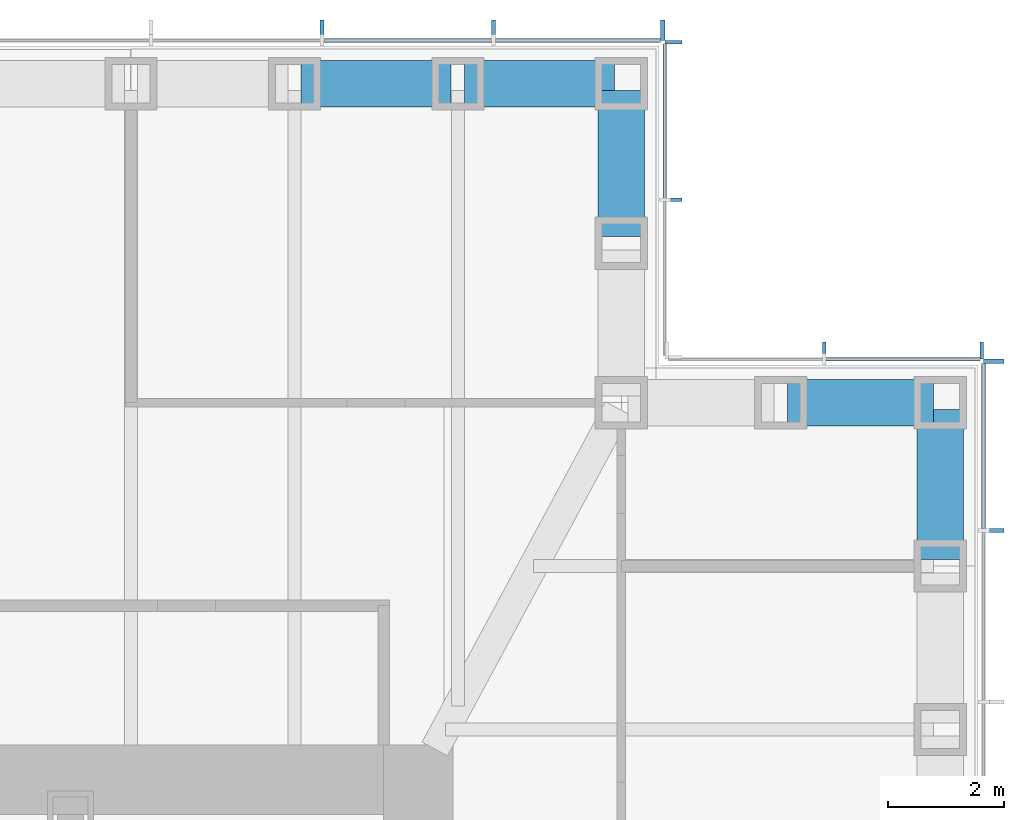
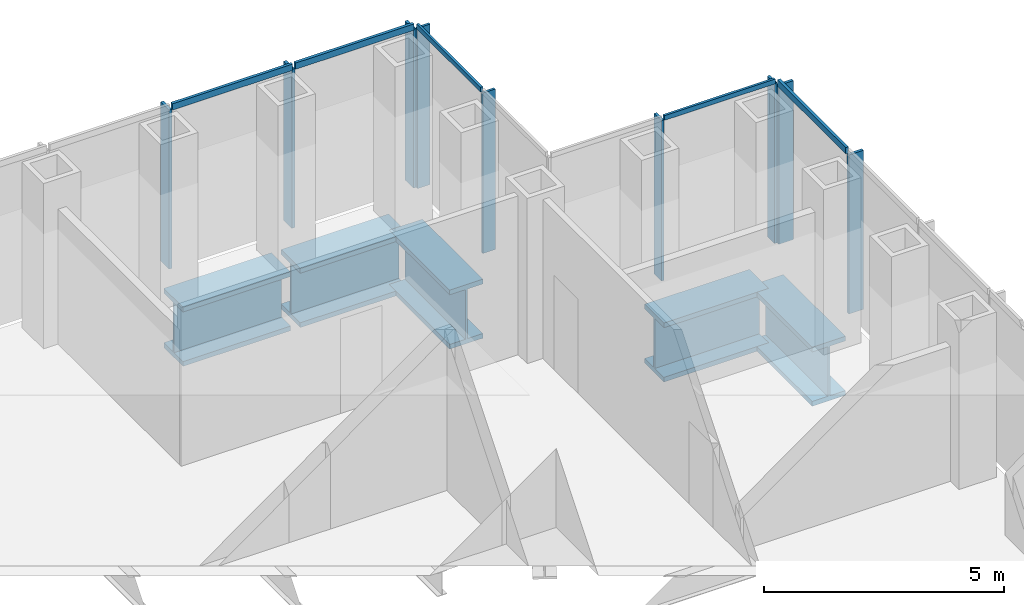
# One storey, part 6 of 16: 14 members, 5 beams, 4 elements without a shape of their own.
"""IFC4 building model written with IfcOpenShell, lengths in metres."""

from ifc_helpers import new_model, si_unit, direction, frame, origin, origin_2d, place, context, subcontext, project, spatial, rectangle, i_section, extrude, material, material_profile, profile_set, type_object, element, aggregate, save


model = new_model("IFC4")

# Units and contexts
model_context = context("Model", 3, precision=1e-05, world=origin(), true_north=direction((0.0, 1.0)))
body_context = subcontext(model_context, "Body", "Model", "MODEL_VIEW")
ifc_project = project(units=[si_unit("LENGTHUNIT", "METRE"), si_unit("AREAUNIT", "SQUARE_METRE"), si_unit("VOLUMEUNIT", "CUBIC_METRE"), si_unit("PLANEANGLEUNIT", "RADIAN"), si_unit("MASSUNIT", "GRAM", prefix="KILO")], contexts=[model_context])

# Site, building, storey
site_placement = place(None, origin())
site = spatial("IfcSite", under=ifc_project, at=site_placement, CompositionType="ELEMENT")
building_placement = place(site_placement, origin())
building = spatial("IfcBuilding", under=site, at=building_placement, Name="Daluyong Arena Tower", CompositionType="ELEMENT")
storey_placement = place(building_placement, frame((0.0, 0.0, 206.5)))
storey = spatial("IfcBuildingStorey", under=building, at=storey_placement, Name="L46", CompositionType="ELEMENT", Elevation=206.5)

# Curtain wall, members
ifc_material_1 = material(Name="Bronze anodised aluminium and glass", Category="aluminium")
curtain_wall_type_1 = type_object("IfcCurtainWallType", Name="Curtain wall CW3", PredefinedType="USERDEFINED", material=ifc_material_1)
curtain_wall_1_placement = place(storey_placement, origin())
curtain_wall_1 = element("IfcCurtainWall", 1, at=curtain_wall_1_placement, inside=storey, type_object=curtain_wall_type_1, Name="curtain wall L46 E", ObjectType="UNITISED CURTAIN WALL", PredefinedType="USERDEFINED")
ifc_material_2 = material(Name="Bronze anodised aluminium fin", Category="aluminium")
ifc_material_profile_1 = material_profile(ifc_material_2, rectangle(XDim=0.35009765625, YDim=0.070068359375, at=origin_2d()))
ifc_profile_set_1 = profile_set([ifc_material_profile_1], Name="Bronze anodised aluminium fin")
member_type_1 = type_object("IfcMemberType", Name="CW3 bronze fin 350x70", PredefinedType="MULLION", material=ifc_profile_set_1)
member_1_placement = place(storey_placement, frame((77.925048828125, 93.29541015625, 0.0), z_axis=(0.0, 0.0, 1.0), x_axis=(-1.0, 0.0, 0.0)))
member_1 = element("IfcMember", 2, at=member_1_placement, type_object=member_type_1, Name="curtain wall L46 E fin 11", PredefinedType="MULLION", context=body_context, shape_type="SweptSolid", body=[
    extrude(rectangle(XDim=0.35009765625, YDim=0.070068359375, at=origin_2d()), origin(), (0.0, 0.0, 1.0), 4.0400390625),
])
member_2_placement = place(storey_placement, frame((77.925048828125, 96.215087890625, 0.0), z_axis=(0.0, 0.0, 1.0), x_axis=(-1.0, 0.0, 0.0)))
member_2 = element("IfcMember", 3, at=member_2_placement, type_object=member_type_1, Name="curtain wall L46 E fin 12", PredefinedType="MULLION", context=body_context, shape_type="SweptSolid", body=[
    extrude(rectangle(XDim=0.35009765625, YDim=0.070068359375, at=origin_2d()), origin(), (0.0, 0.0, 1.0), 4.0400390625),
])

curtain_wall_2_placement = place(storey_placement, origin())
curtain_wall_2 = element("IfcCurtainWall", 4, at=curtain_wall_2_placement, inside=storey, type_object=curtain_wall_type_1, Name="curtain wall L46 N", ObjectType="UNITISED CURTAIN WALL", PredefinedType="USERDEFINED")
member_3_placement = place(storey_placement, frame((72.215087890625, 101.925048828125, 0.0), z_axis=(0.0, 0.0, 1.0), x_axis=(0.0, -1.0, 0.0)))
member_3 = element("IfcMember", 5, at=member_3_placement, type_object=member_type_1, Name="curtain wall L46 N fin 1", PredefinedType="MULLION", context=body_context, shape_type="SweptSolid", body=[
    extrude(rectangle(XDim=0.35009765625, YDim=0.070068359375, at=origin_2d()), origin(), (0.0, 0.0, 1.0), 4.0400390625),
])
member_4_placement = place(storey_placement, frame((69.29541015625, 101.925048828125, 0.0), z_axis=(0.0, 0.0, 1.0), x_axis=(0.0, -1.0, 0.0)))
member_4 = element("IfcMember", 6, at=member_4_placement, type_object=member_type_1, Name="curtain wall L46 N fin 2", PredefinedType="MULLION", context=body_context, shape_type="SweptSolid", body=[
    extrude(rectangle(XDim=0.35009765625, YDim=0.070068359375, at=origin_2d()), origin(), (0.0, 0.0, 1.0), 4.0400390625),
])
member_5_placement = place(storey_placement, frame((66.3408203125, 101.925048828125, 0.0), z_axis=(0.0, 0.0, 1.0), x_axis=(0.0, -1.0, 0.0)))
member_5 = element("IfcMember", 7, at=member_5_placement, type_object=member_type_1, Name="curtain wall L46 N fin 3", PredefinedType="MULLION", context=body_context, shape_type="SweptSolid", body=[
    extrude(rectangle(XDim=0.35009765625, YDim=0.070068359375, at=origin_2d()), origin(), (0.0, 0.0, 1.0), 4.0400390625),
])

# Member
ifc_material_3 = material(Name="Bronze anodised aluminium", Category="aluminium")
ifc_material_profile_2 = material_profile(ifc_material_3, rectangle(XDim=0.070068359375, YDim=0.159912109375, at=origin_2d()))
ifc_profile_set_2 = profile_set([ifc_material_profile_2], Name="Bronze anodised aluminium")
member_type_2 = type_object("IfcMemberType", Name="CW3 stack transom 160x70", PredefinedType="USERDEFINED", material=ifc_profile_set_2)
member_6_placement = place(storey_placement, frame((77.75, 93.33056640625, 4.1201171875), z_axis=(0.0, 1.0, 0.0), x_axis=(-1.0, 0.0, 0.0)))
member_6 = element("IfcMember", 8, at=member_6_placement, type_object=member_type_2, Name="curtain wall L46 E transom 11", ObjectType="TRANSOM", PredefinedType="USERDEFINED", context=body_context, shape_type="SweptSolid", body=[
    extrude(rectangle(XDim=0.070068359375, YDim=0.159912109375, at=origin_2d()), origin(), (0.0, 0.0, 1.0), 2.849365234375),
])

aggregate(curtain_wall_1, [member_1, member_2, member_6])

member_7_placement = place(storey_placement, frame((72.179931640625, 101.75, 4.1201171875), z_axis=(-1.0, 0.0, 0.0), x_axis=(0.0, -1.0, 0.0)))
member_7 = element("IfcMember", 9, at=member_7_placement, type_object=member_type_2, Name="curtain wall L46 N transom 1", ObjectType="TRANSOM", PredefinedType="USERDEFINED", context=body_context, shape_type="SweptSolid", body=[
    extrude(rectangle(XDim=0.070068359375, YDim=0.159912109375, at=origin_2d()), origin(), (0.0, 0.0, 1.0), 2.849365234375),
])

member_8_placement = place(storey_placement, frame((69.260498046875, 101.75, 4.1201171875), z_axis=(-1.0, 0.0, 0.0), x_axis=(0.0, -1.0, 0.0)))
member_8 = element("IfcMember", 10, at=member_8_placement, type_object=member_type_2, Name="curtain wall L46 N transom 2", ObjectType="TRANSOM", PredefinedType="USERDEFINED", context=body_context, shape_type="SweptSolid", body=[
    extrude(rectangle(XDim=0.070068359375, YDim=0.159912109375, at=origin_2d()), origin(), (0.0, 0.0, 1.0), 2.884521484375),
])

aggregate(curtain_wall_2, [member_3, member_4, member_5, member_7, member_8])

# Curtain wall, members
ifc_material_4 = material(Name="Bronze anodised aluminium and glass", Category="aluminium")
curtain_wall_type_2 = type_object("IfcCurtainWallType", Name="Curtain wall CW7", PredefinedType="USERDEFINED", material=ifc_material_4)
curtain_wall_3_placement = place(storey_placement, origin())
curtain_wall_3 = element("IfcCurtainWall", 11, at=curtain_wall_3_placement, inside=storey, type_object=curtain_wall_type_2, Name="curtain wall L46 NE-N", ObjectType="UNITISED CURTAIN WALL", PredefinedType="USERDEFINED")
ifc_material_5 = material(Name="Bronze anodised aluminium fin", Category="aluminium")
ifc_material_profile_3 = material_profile(ifc_material_5, rectangle(XDim=0.300048828125, YDim=0.06005859375, at=origin_2d()))
ifc_profile_set_3 = profile_set([ifc_material_profile_3], Name="Bronze anodised aluminium fin")
member_type_3 = type_object("IfcMemberType", Name="CW7 bronze fin 300x60", PredefinedType="MULLION", material=ifc_profile_set_3)
member_9_placement = place(storey_placement, frame((77.719970703125, 96.39990234375, 0.0), z_axis=(0.0, 0.0, 1.0), x_axis=(0.0, -1.0, 0.0)))
member_9 = element("IfcMember", 12, at=member_9_placement, type_object=member_type_3, Name="curtain wall L46 NE-N fin 1", PredefinedType="MULLION", context=body_context, shape_type="SweptSolid", body=[
    extrude(rectangle(XDim=0.300048828125, YDim=0.06005859375, at=origin_2d()), origin(), (0.0, 0.0, 1.0), 4.080078125),
])
member_10_placement = place(storey_placement, frame((75.0, 96.39990234375, 0.0), z_axis=(0.0, 0.0, 1.0), x_axis=(0.0, -1.0, 0.0)))
member_10 = element("IfcMember", 13, at=member_10_placement, type_object=member_type_3, Name="curtain wall L46 NE-N fin 2", PredefinedType="MULLION", context=body_context, shape_type="SweptSolid", body=[
    extrude(rectangle(XDim=0.300048828125, YDim=0.06005859375, at=origin_2d()), origin(), (0.0, 0.0, 1.0), 4.080078125),
])

curtain_wall_4_placement = place(storey_placement, origin())
curtain_wall_4 = element("IfcCurtainWall", 14, at=curtain_wall_4_placement, inside=storey, type_object=curtain_wall_type_2, Name="curtain wall L46 NE-E", ObjectType="UNITISED CURTAIN WALL", PredefinedType="USERDEFINED")
member_11_placement = place(storey_placement, frame((72.39990234375, 99.0, 0.0), z_axis=(0.0, 0.0, 1.0), x_axis=(-1.0, 0.0, 0.0)))
member_11 = element("IfcMember", 15, at=member_11_placement, type_object=member_type_3, Name="curtain wall L46 NE-E fin 2", PredefinedType="MULLION", context=body_context, shape_type="SweptSolid", body=[
    extrude(rectangle(XDim=0.300048828125, YDim=0.06005859375, at=origin_2d()), origin(), (0.0, 0.0, 1.0), 4.080078125),
])
member_12_placement = place(storey_placement, frame((72.39990234375, 101.719970703125, 0.0), z_axis=(0.0, 0.0, 1.0), x_axis=(-1.0, 0.0, 0.0)))
member_12 = element("IfcMember", 16, at=member_12_placement, type_object=member_type_3, Name="curtain wall L46 NE-E fin 3", PredefinedType="MULLION", context=body_context, shape_type="SweptSolid", body=[
    extrude(rectangle(XDim=0.300048828125, YDim=0.06005859375, at=origin_2d()), origin(), (0.0, 0.0, 1.0), 4.080078125),
])

# Member
ifc_material_6 = material(Name="Bronze anodised aluminium", Category="aluminium")
ifc_material_profile_4 = material_profile(ifc_material_6, rectangle(XDim=0.06005859375, YDim=0.1201171875, at=origin_2d()))
ifc_profile_set_4 = profile_set([ifc_material_profile_4], Name="Bronze anodised aluminium")
member_type_4 = type_object("IfcMemberType", Name="CW7 stack transom 120x60", PredefinedType="USERDEFINED", material=ifc_profile_set_4)
member_13_placement = place(storey_placement, frame((77.68994140625, 96.25, 4.139892578125), z_axis=(-1.0, 0.0, 0.0), x_axis=(0.0, -1.0, 0.0)))
member_13 = element("IfcMember", 17, at=member_13_placement, type_object=member_type_4, Name="curtain wall L46 NE-N transom 1", ObjectType="TRANSOM", PredefinedType="USERDEFINED", context=body_context, shape_type="SweptSolid", body=[
    extrude(rectangle(XDim=0.06005859375, YDim=0.1201171875, at=origin_2d()), origin(), (0.0, 0.0, 1.0), 2.659912109375),
])

aggregate(curtain_wall_3, [member_9, member_10, member_13])

member_14_placement = place(storey_placement, frame((72.25, 99.030029296875, 4.139892578125), z_axis=(0.0, 1.0, 0.0), x_axis=(-1.0, 0.0, 0.0)))
member_14 = element("IfcMember", 18, at=member_14_placement, type_object=member_type_4, Name="curtain wall L46 NE-E transom 2", ObjectType="TRANSOM", PredefinedType="USERDEFINED", context=body_context, shape_type="SweptSolid", body=[
    extrude(rectangle(XDim=0.06005859375, YDim=0.1201171875, at=origin_2d()), origin(), (0.0, 0.0, 1.0), 2.659912109375),
])

aggregate(curtain_wall_4, [member_11, member_12, member_14])

# Beams
ifc_material_7 = material(Name="Steel ASTM A588 Grade 50", Category="steel")
ifc_material_profile_5 = material_profile(ifc_material_7, i_section(OverallWidth=0.800048828125, OverallDepth=1.5, WebThickness=0.05, FlangeThickness=0.12, at=origin_2d()))
ifc_profile_set_5 = profile_set([ifc_material_profile_5], Name="Steel ASTM A588 Grade 50")
beam_type = type_object("IfcBeamType", Name="Spandrel Z3 PG1500X800", PredefinedType="SPANDREL", material=ifc_profile_set_5)
beam_1_placement = place(storey_placement, frame((77.0, 92.796875, -0.909912109375), z_axis=(0.0, 1.0, 0.0), x_axis=(-1.0, 0.0, 0.0)))
element("IfcBeam", 19, at=beam_1_placement, inside=storey, type_object=beam_type, Name="spandrel z3 SB7", PredefinedType="SPANDREL", context=body_context, shape_type="SweptSolid", body=[
    extrude(i_section(OverallWidth=0.800048828125, OverallDepth=1.5, WebThickness=0.05, FlangeThickness=0.12, at=origin_2d()), origin(), (0.0, 0.0, 1.0), 2.588134765625),
])
for number, where, z_axis, x_axis, name in (
    (20, (76.885009765625, 95.5, -0.909912109375), (-1.0, 0.0, 0.0), (0.0, -1.0, 0.0), "spandrel z3 SB7"),
    (21, (71.5, 98.364990234375, -0.909912109375), (0.0, 1.0, 0.0), (-1.0, 0.0, 0.0), "spandrel z3 SB7"),
):
    element("IfcBeam", number, at=place(storey_placement, frame(where, z_axis=z_axis, x_axis=x_axis)), inside=storey, type_object=beam_type, Name=name, PredefinedType="SPANDREL", context=body_context, shape_type="SweptSolid", body=[
        extrude(i_section(OverallWidth=0.800048828125, OverallDepth=1.5, WebThickness=0.05, FlangeThickness=0.12, at=origin_2d()), origin(), (0.0, 0.0, 1.0), 2.52001953125),
    ])
beam_2_placement = place(storey_placement, frame((71.385009765625, 101.0, -0.909912109375), z_axis=(-1.0, 0.0, 0.0), x_axis=(0.0, -1.0, 0.0)))
element("IfcBeam", 22, at=beam_2_placement, inside=storey, type_object=beam_type, Name="spandrel z3 SB7", PredefinedType="SPANDREL", context=body_context, shape_type="SweptSolid", body=[
    extrude(i_section(OverallWidth=0.800048828125, OverallDepth=1.5, WebThickness=0.05, FlangeThickness=0.12, at=origin_2d()), origin(), (0.0, 0.0, 1.0), 2.588134765625),
])
beam_3_placement = place(storey_placement, frame((68.56689453125, 101.0, -0.909912109375), z_axis=(-1.0, 0.0, 0.0), x_axis=(0.0, -1.0, 0.0)))
element("IfcBeam", 23, at=beam_3_placement, inside=storey, type_object=beam_type, Name="spandrel z3 SB7", PredefinedType="SPANDREL", context=body_context, shape_type="SweptSolid", body=[
    extrude(i_section(OverallWidth=0.800048828125, OverallDepth=1.5, WebThickness=0.05, FlangeThickness=0.12, at=origin_2d()), origin(), (0.0, 0.0, 1.0), 2.58837890625),
])

save(model, "model.ifc")
